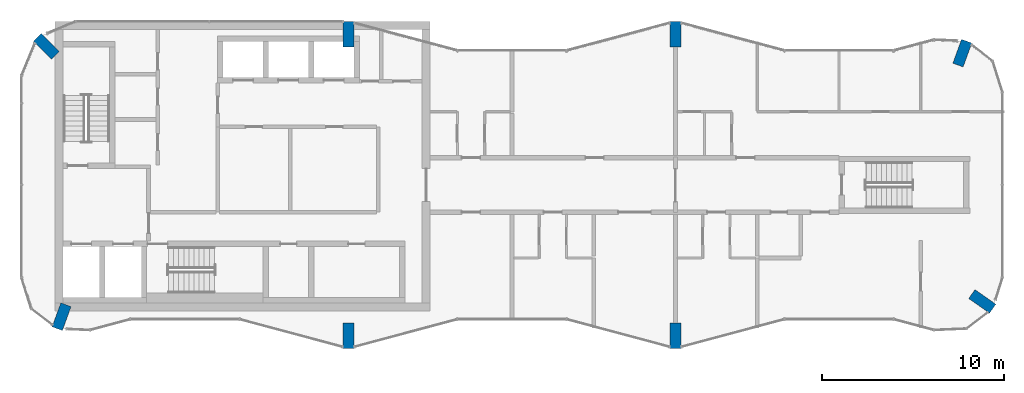
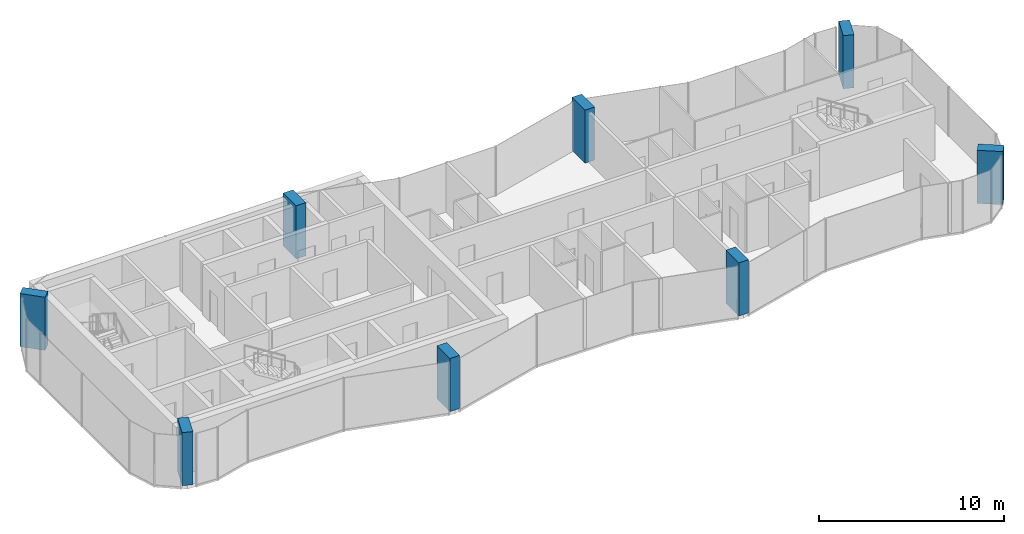
# One storey, part 1 of 10: 8 columns.
"""IFC4 building model written with IfcOpenShell, lengths in metres."""

import ifcopenshell
import ifcopenshell.guid

model = None  # the IFC model being written
_history = None  # IfcOwnerHistory: only IFC2X3 demands one
_inside = {}  # id of a spatial element -> (the spatial element, [elements in it])
_under = {}  # id of a project, library or spatial element -> (it, [spatial elements below it])
_declared = {}  # id of a project -> (the project, [libraries it declares])
_typed = {}  # id of a type object -> (the type object, [elements of that type])
_made_of = {}  # id of a material, layer set ... -> (it, [elements and type objects made of it])


def new_model(schema):
    """Start an empty IFC model of exactly this schema.

    Asked for "IFC4X3", IfcOpenShell would pick the latest addendum, in which some entities
    have other attributes; the version numbers below select the first issue.
    IFC2X3 requires an IfcOwnerHistory on every rooted entity: one is made here for all.
    """
    global model, _history
    if schema == "IFC4X3":
        model = ifcopenshell.file(schema_version=(4, 3, 0, 0))
    else:
        model = ifcopenshell.file(schema=schema)
    _inside.clear()
    _under.clear()
    _declared.clear()
    _typed.clear()
    _made_of.clear()
    _history = None
    if model.schema == "IFC2X3":
        org = make("IfcOrganization", Name="unknown")
        user = make(
            "IfcPersonAndOrganization",
            ThePerson=make("IfcPerson", FamilyName="unknown"),
            TheOrganization=org,
        )
        app = make(
            "IfcApplication",
            ApplicationDeveloper=org,
            Version="unknown",
            ApplicationFullName="unknown",
            ApplicationIdentifier="unknown",
        )
        _history = make(
            "IfcOwnerHistory",
            OwningUser=user,
            OwningApplication=app,
            ChangeAction="ADDED",
            CreationDate=0,
        )
    return model


def make(cls, **values):
    """One entity of the class cls with the attributes given. An attribute that is None is left unset."""
    return model.create_entity(
        cls, **{name: value for name, value in values.items() if value is not None}
    )


def rooted(cls, **values):
    """An entity with a GlobalId (a new one), such as an element, a storey or a relation."""
    return make(cls, GlobalId=ifcopenshell.guid.new(), OwnerHistory=_history, **values)


def si_unit(unit_type, name, prefix=None):
    """IfcSIUnit, for example si_unit("LENGTHUNIT", "METRE", prefix="MILLI")."""
    return make("IfcSIUnit", UnitType=unit_type, Prefix=prefix, Name=name)


def assignment(units):
    """IfcUnitAssignment: the units of a project."""
    return None if units is None else make("IfcUnitAssignment", Units=units)


def point(xyz):
    """IfcCartesianPoint."""
    return None if xyz is None else make("IfcCartesianPoint", Coordinates=xyz)


def direction(xyz):
    """IfcDirection."""
    return None if xyz is None else make("IfcDirection", DirectionRatios=xyz)


def frame(location, z_axis=None, x_axis=None):
    """IfcAxis2Placement3D, a coordinate frame: its origin and axes. An axis left out is left unset."""
    return make(
        "IfcAxis2Placement3D",
        Location=point(location),
        Axis=direction(z_axis),
        RefDirection=direction(x_axis),
    )


def frame_2d(location, x_axis=None):
    """IfcAxis2Placement2D, a coordinate frame in the plane: its origin and x axis."""
    return make(
        "IfcAxis2Placement2D", Location=point(location), RefDirection=direction(x_axis)
    )


def origin():
    """The frame at (0, 0, 0) with its axes left unset."""
    return frame((0.0, 0.0, 0.0))


def origin_2d():
    """The frame at (0, 0) in the plane with its x axis left unset."""
    return frame_2d((0.0, 0.0))


def place(relative_to, where):
    """IfcLocalPlacement: puts the frame where relative to a parent placement (None: the world)."""
    return make(
        "IfcLocalPlacement", PlacementRelTo=relative_to, RelativePlacement=where
    )


def context(
    kind, dimensions, precision=None, world=None, true_north=None, identifier=None
):
    """IfcGeometricRepresentationContext, for example the 3D "Model" context."""
    return make(
        "IfcGeometricRepresentationContext",
        ContextIdentifier=identifier,
        ContextType=kind,
        CoordinateSpaceDimension=dimensions,
        Precision=precision,
        WorldCoordinateSystem=world,
        TrueNorth=true_north,
    )


def subcontext(parent, identifier, kind, view, scale=None):
    """IfcGeometricRepresentationSubContext, for example "Body" below "Model"."""
    return make(
        "IfcGeometricRepresentationSubContext",
        ContextIdentifier=identifier,
        ContextType=kind,
        ParentContext=parent,
        TargetScale=scale,
        TargetView=view,
    )


def project(units=None, contexts=None):
    """IfcProject with its units and contexts."""
    return rooted(
        "IfcProject",
        Name="project",
        RepresentationContexts=contexts,
        UnitsInContext=assignment(units),
    )


def spatial(cls, under=None, at=None, **own):
    """A site, building, storey or space (cls), placed at a placement, below another one or the project."""
    s = rooted(cls, ObjectPlacement=at, **own)
    if under is not None:
        _under.setdefault(under.id(), (under, []))[1].append(s)
    return s


def profile(cls, at=None, kind="AREA", **sizes):
    """A parametric profile (cls). Its sizes go by their IFC names, for example OverallWidth=200.0."""
    return make(cls, ProfileType=kind, Position=at, **sizes)


def rectangle(**sizes):
    """IfcRectangleProfileDef."""
    return profile("IfcRectangleProfileDef", **sizes)


def extrude(swept, where, along, depth):
    """IfcExtrudedAreaSolid: the profile swept, set in the frame where, extruded along a direction by depth."""
    return make(
        "IfcExtrudedAreaSolid",
        SweptArea=swept,
        Position=where,
        ExtrudedDirection=direction(along),
        Depth=depth,
    )


def shape(context_of_items, identifier, shape_type, items):
    """IfcShapeRepresentation: the items that make up one representation, for example the "Body"."""
    return make(
        "IfcShapeRepresentation",
        ContextOfItems=context_of_items,
        RepresentationIdentifier=identifier,
        RepresentationType=shape_type,
        Items=items,
    )


def material(Name=None, Category=None):
    """IfcMaterial."""
    return make("IfcMaterial", Name=Name, Category=Category)


def material_profile(
    of_material, cross_section, Name=None, Category=None, Priority=None
):
    """IfcMaterialProfile: a cross section and its material."""
    return make(
        "IfcMaterialProfile",
        Name=Name,
        Material=of_material,
        Profile=cross_section,
        Priority=Priority,
        Category=Category,
    )


def profile_set(profiles, Name=None, composite=None):
    """IfcMaterialProfileSet."""
    return make(
        "IfcMaterialProfileSet",
        Name=Name,
        MaterialProfiles=profiles,
        CompositeProfile=composite,
    )


def made_of(thing, what):
    """Note that an element or type object is made of a material, layer set ...; save() writes the relation."""
    if what is not None:
        _made_of.setdefault(what.id(), (what, []))[1].append(thing)
    return thing


def type_object(cls, material=None, **own):
    """A type object (cls), such as IfcWallType, which elements share."""
    return made_of(rooted(cls, **own), material)


def element(
    cls,
    number,
    at=None,
    inside=None,
    cuts=None,
    type_object=None,
    material=None,
    context=None,
    identifier="Body",
    shape_type=None,
    held_by="IfcProductDefinitionShape",
    body=None,
    shapes=None,
    **own,
):
    """One element of the class cls, such as IfcWall. Its Tag is "e" and its number.

    at: its placement. inside: the storey or other place that contains it. cuts: it is an
    opening in that element (IfcRelVoidsElement). A single representation is given by context,
    identifier, shape_type and body (its items); several are given by shapes. held_by: the class
    of the entity that holds the representations. save() writes the other relations.
    """
    e = rooted(cls, Tag="e%d" % number, ObjectPlacement=at, **own)
    if body is not None:
        shapes = [shape(context, identifier, shape_type, body)]
    if shapes is not None:
        e.Representation = make(held_by, Representations=shapes)
    if inside is not None:
        _inside.setdefault(inside.id(), (inside, []))[1].append(e)
    if cuts is not None:
        rooted(
            "IfcRelVoidsElement", RelatingBuildingElement=cuts, RelatedOpeningElement=e
        )
    if type_object is not None:
        _typed.setdefault(type_object.id(), (type_object, []))[1].append(e)
    return made_of(e, material)


def aggregate(whole, parts):
    """IfcRelAggregates: a whole, such as a stair, and the parts it consists of."""
    return rooted("IfcRelAggregates", RelatingObject=whole, RelatedObjects=parts)


def save(model, path):
    """Write the relations noted so far, then the file.

    IfcRelAggregates (storeys below a building ...), IfcRelContainedInSpatialStructure (elements
    in a storey), IfcRelDefinesByType, IfcRelAssociatesMaterial and IfcRelDeclares: one each for
    every whole, place, type object, material and project.
    """
    for whole, parts in _under.values():
        aggregate(whole, parts)
    for where, things in _inside.values():
        rooted(
            "IfcRelContainedInSpatialStructure",
            RelatedElements=things,
            RelatingStructure=where,
        )
    for kind, things in _typed.values():
        rooted("IfcRelDefinesByType", RelatedObjects=things, RelatingType=kind)
    for what, things in _made_of.values():
        rooted("IfcRelAssociatesMaterial", RelatedObjects=things, RelatingMaterial=what)
    for by, libraries in _declared.values():
        rooted("IfcRelDeclares", RelatingContext=by, RelatedDefinitions=libraries)
    model.write(path)


model = new_model("IFC4")

# Units and contexts
model_context = context("Model", 3, precision=1e-05, world=origin(), true_north=direction((0.0, 1.0)))
body_context = subcontext(model_context, "Body", "Model", "MODEL_VIEW")
ifc_project = project(units=[si_unit("LENGTHUNIT", "METRE"), si_unit("AREAUNIT", "SQUARE_METRE"), si_unit("VOLUMEUNIT", "CUBIC_METRE"), si_unit("PLANEANGLEUNIT", "RADIAN"), si_unit("MASSUNIT", "GRAM", prefix="KILO")], contexts=[model_context])

# Site, building, storey
site_placement = place(None, origin())
site = spatial("IfcSite", under=ifc_project, at=site_placement, CompositionType="ELEMENT")
building_placement = place(site_placement, origin())
building = spatial("IfcBuilding", under=site, at=building_placement, Name="Plateau Cross Towers", CompositionType="ELEMENT")
storey_placement = place(building_placement, frame((0.0, 0.0, 263.39990234375)))
storey = spatial("IfcBuildingStorey", under=building, at=storey_placement, Name="L69", CompositionType="ELEMENT", Elevation=263.39990234375)

# Columns
ifc_material = material(Name="Concrete C60/75", Category="concrete")
ifc_material_profile = material_profile(ifc_material, rectangle(XDim=0.60009765625, YDim=1.39990234375, at=origin_2d()), Name="RC 600x1400")
ifc_profile_set = profile_set([ifc_material_profile], Name="Concrete C60/75")
column_type = type_object("IfcColumnType", Name="Fin pier column RC 600x1400", PredefinedType="COLUMN", material=ifc_profile_set)
for number, where, z_axis, x_axis, name in (
    (1, (18.0, 0.699951171875, 0.0), (0.0, 0.0, 1.0), (1.0, 0.0, 0.0), "PR1 L69"),
    (2, (36.0, 0.699951171875, 0.0), (0.0, 0.0, 1.0), (1.0, 0.0, 0.0), "PR2 L69"),
    (3, (52.884033203125, 2.590087890625, 0.0), (0.0, 0.0, 1.0), (0.573542637991, 0.819175709117, 0.0), "PR3 L69"),
    (4, (51.786865234375, 16.251953125, 0.0), (0.0, 0.0, 1.0), (-0.939664280925, 0.342097996418, 0.0), "PR4 L69"),
    (5, (36.0, 17.300048828125, 0.0), (0.0, 0.0, 1.0), (1.0, 0.0, 0.0), "PR5 L69"),
    (6, (18.0, 17.300048828125, 0.0), (0.0, 0.0, 1.0), (1.0, 0.0, 0.0), "PR13 L69"),
    (7, (1.37353515625, 16.62646484375, 0.0), (0.0, 0.0, 1.0), (0.707106781187, 0.707106781187, 0.0), "PR14 L69"),
    (8, (2.213134765625, 1.748046875, 0.0), (0.0, 0.0, 1.0), (-0.939664280925, 0.342097996418, 0.0), "PR12 L69"),
):
    element("IfcColumn", number, at=place(storey_placement, frame(where, z_axis=z_axis, x_axis=x_axis)), inside=storey, type_object=column_type, Name=name, PredefinedType="COLUMN", context=body_context, shape_type="SweptSolid", body=[
        extrude(rectangle(XDim=0.60009765625, YDim=1.39990234375, at=origin_2d()), origin(), (0.0, 0.0, 1.0), 3.5),
    ])

save(model, "model.ifc")
